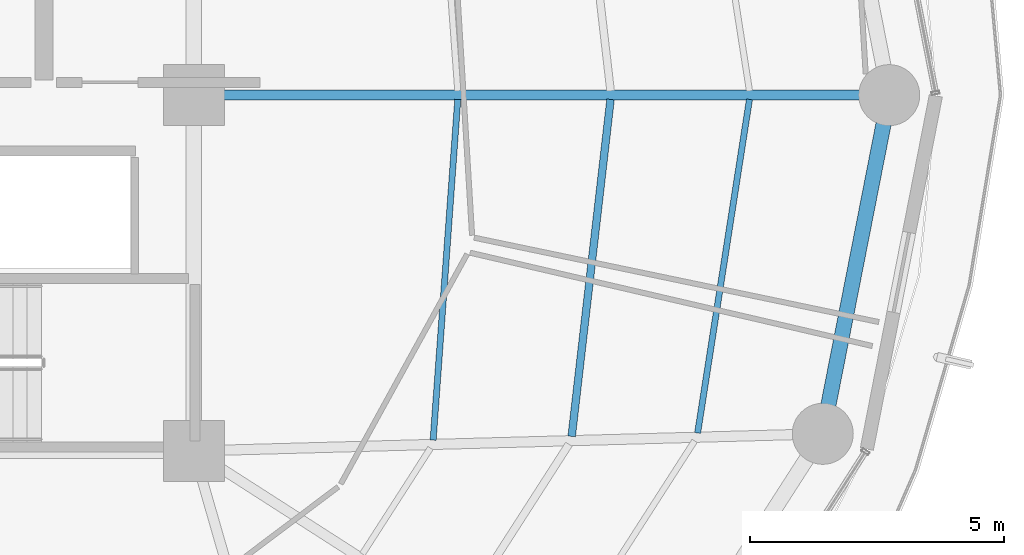
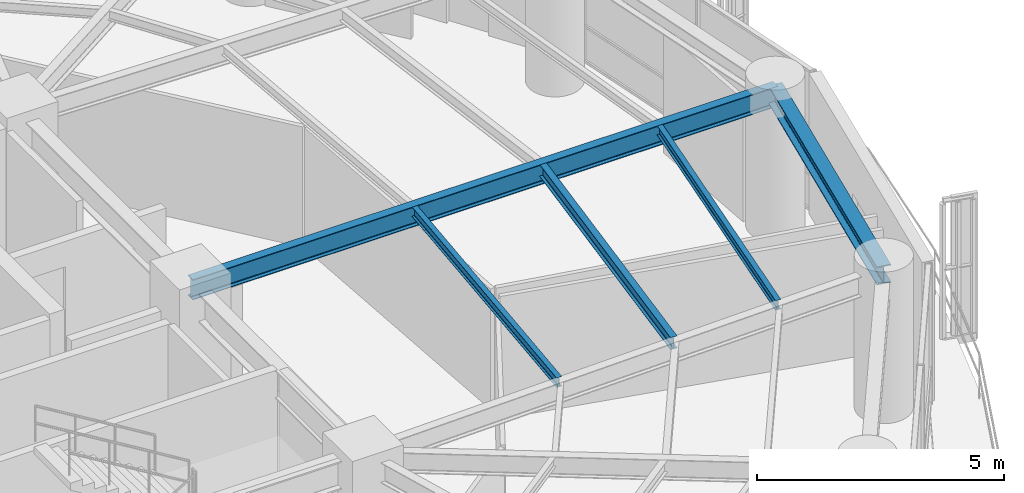
# One storey, part 12 of 27: 5 beams.
"""IFC4 building model written with IfcOpenShell, lengths in metres."""

from ifc_helpers import new_model, si_unit, direction, frame, origin, origin_2d, place, context, subcontext, project, spatial, i_section, extrude, material, material_profile, profile_set, type_object, element, save


model = new_model("IFC4")

# Units and contexts
model_context = context("Model", 3, precision=1e-05, world=origin(), true_north=direction((0.0, 1.0)))
body_context = subcontext(model_context, "Body", "Model", "MODEL_VIEW")
ifc_project = project(units=[si_unit("LENGTHUNIT", "METRE"), si_unit("AREAUNIT", "SQUARE_METRE"), si_unit("VOLUMEUNIT", "CUBIC_METRE"), si_unit("PLANEANGLEUNIT", "RADIAN"), si_unit("MASSUNIT", "GRAM", prefix="KILO")], contexts=[model_context])

# Site, building, storey
site_placement = place(None, origin())
site = spatial("IfcSite", under=ifc_project, at=site_placement, CompositionType="ELEMENT")
building_placement = place(site_placement, origin())
building = spatial("IfcBuilding", under=site, at=building_placement, Name="Kelanora Arch Commons", CompositionType="ELEMENT")
storey_placement = place(building_placement, frame((0.0, 0.0, 146.85009765625)))
storey = spatial("IfcBuildingStorey", under=building, at=storey_placement, Name="L37", CompositionType="ELEMENT", Elevation=146.85009765625)

# Beams
ifc_material = material(Name="Steel S355", Category="steel")
ifc_material_profile_1 = material_profile(ifc_material, i_section(OverallWidth=0.14990234375, OverallDepth=0.300048828125, WebThickness=0.007080078125, FlangeThickness=0.0107421875, FilletRadius=0.014892578125, at=origin_2d()), Name="IPE300")
ifc_profile_set_1 = profile_set([ifc_material_profile_1], Name="Steel S355")
beam_type_1 = type_object("IfcBeamType", Name="BM-JST-01", PredefinedType="JOIST", material=ifc_profile_set_1)
beam_1_placement = place(storey_placement, frame((89.43310546875, 51.286865234375, 3.33984375), z_axis=(0.114667159005, 0.9934039675, 0.0), x_axis=(-0.9934039675, 0.114667159005, 0.0)))
element("IfcBeam", 1, at=beam_1_placement, inside=storey, type_object=beam_type_1, Name="Secondary Chord Joist BJB-34 L37", PredefinedType="JOIST", context=body_context, shape_type="SweptSolid", body=[
    extrude(i_section(OverallWidth=0.14990234375, OverallDepth=0.300048828125, WebThickness=0.007080078125, FlangeThickness=0.0107421875, FilletRadius=0.014892578125, at=origin_2d()), origin(), (0.0, 0.0, 1.0), 6.672607421875),
])
ifc_material_profile_2 = material_profile(ifc_material, i_section(OverallWidth=0.1201171875, OverallDepth=0.239990234375, WebThickness=0.006103515625, FlangeThickness=0.009765625, FilletRadius=0.014892578125, at=origin_2d()), Name="IPE240")
ifc_profile_set_2 = profile_set([ifc_material_profile_2], Name="Steel S355")
beam_type_2 = type_object("IfcBeamType", Name="BM-JST-02", PredefinedType="JOIST", material=ifc_profile_set_2)
beam_2_placement = place(storey_placement, frame((86.707763671875, 51.212890625, 3.369873046875), z_axis=(0.072117123738, 0.997396170267, 0.0), x_axis=(-0.997396170267, 0.072117123738, 0.0)))
element("IfcBeam", 2, at=beam_2_placement, inside=storey, type_object=beam_type_2, Name="Secondary Chord Joist BJA-34 L37", PredefinedType="JOIST", context=body_context, shape_type="SweptSolid", body=[
    extrude(i_section(OverallWidth=0.1201171875, OverallDepth=0.239990234375, WebThickness=0.006103515625, FlangeThickness=0.009765625, FilletRadius=0.014892578125, at=origin_2d()), origin(), (0.0, 0.0, 1.0), 6.719970703125),
])
beam_3_placement = place(storey_placement, frame((91.9111328125, 51.35400390625, 3.369873046875), z_axis=(0.153562625853, 0.988138917329, 0.0), x_axis=(-0.988138917329, 0.153562625853, 0.0)))
element("IfcBeam", 3, at=beam_3_placement, inside=storey, type_object=beam_type_2, Name="Secondary Chord Joist BJC-34 L37", PredefinedType="JOIST", context=body_context, shape_type="SweptSolid", body=[
    extrude(i_section(OverallWidth=0.1201171875, OverallDepth=0.239990234375, WebThickness=0.006103515625, FlangeThickness=0.009765625, FilletRadius=0.014892578125, at=origin_2d()), origin(), (0.0, 0.0, 1.0), 6.640869140625),
])
ifc_material_profile_3 = material_profile(ifc_material, i_section(OverallWidth=0.199951171875, OverallDepth=0.5, WebThickness=0.01025390625, FlangeThickness=0.01611328125, FilletRadius=0.02099609375, at=origin_2d()), Name="IPE500")
ifc_profile_set_3 = profile_set([ifc_material_profile_3], Name="Steel S355")
beam_type_3 = type_object("IfcBeamType", Name="BM-RAD-Z3", PredefinedType="BEAM", material=ifc_profile_set_3)
beam_4_placement = place(storey_placement, frame((82.0, 58.0, 3.239990234375), z_axis=(1.0, 0.0, 0.0), x_axis=(0.0, 1.0, 0.0)))
element("IfcBeam", 4, at=beam_4_placement, inside=storey, type_object=beam_type_3, Name="Radial Floor Girder BR-00 L37", PredefinedType="BEAM", context=body_context, shape_type="SweptSolid", body=[
    extrude(i_section(OverallWidth=0.199951171875, OverallDepth=0.5, WebThickness=0.01025390625, FlangeThickness=0.01611328125, FilletRadius=0.02099609375, at=origin_2d()), origin(), (0.0, 0.0, 1.0), 13.679931640625),
])
ifc_material_profile_4 = material_profile(ifc_material, i_section(OverallWidth=0.300048828125, OverallDepth=0.449951171875, WebThickness=0.013916015625, FlangeThickness=0.02587890625, FilletRadius=0.027099609375, at=origin_2d()), Name="HEB450")
ifc_profile_set_4 = profile_set([ifc_material_profile_4], Name="Steel S355")
beam_type_4 = type_object("IfcBeamType", Name="BM-SPN-Z3", PredefinedType="SPANDREL", material=ifc_profile_set_4)
beam_5_placement = place(storey_placement, frame((94.37255859375, 51.33740234375, 3.264892578125), z_axis=(0.192553643556, 0.981286448675, 0.0), x_axis=(-0.981286448675, 0.192553643556, 0.0)))
element("IfcBeam", 5, at=beam_5_placement, inside=storey, type_object=beam_type_4, Name="Perimeter Spandrel Beam BS-34 L37", PredefinedType="SPANDREL", context=body_context, shape_type="SweptSolid", body=[
    extrude(i_section(OverallWidth=0.300048828125, OverallDepth=0.449951171875, WebThickness=0.013916015625, FlangeThickness=0.02587890625, FilletRadius=0.027099609375, at=origin_2d()), origin(), (0.0, 0.0, 1.0), 6.78955078125),
])

save(model, "model.ifc")
